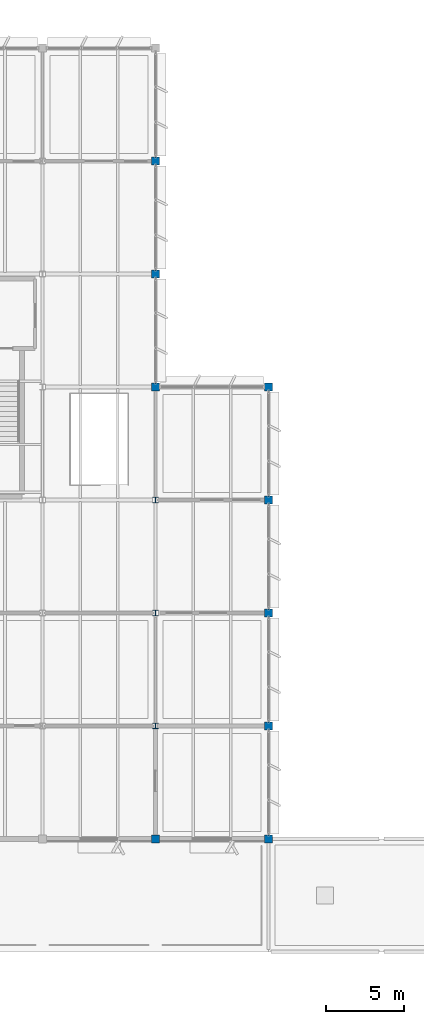
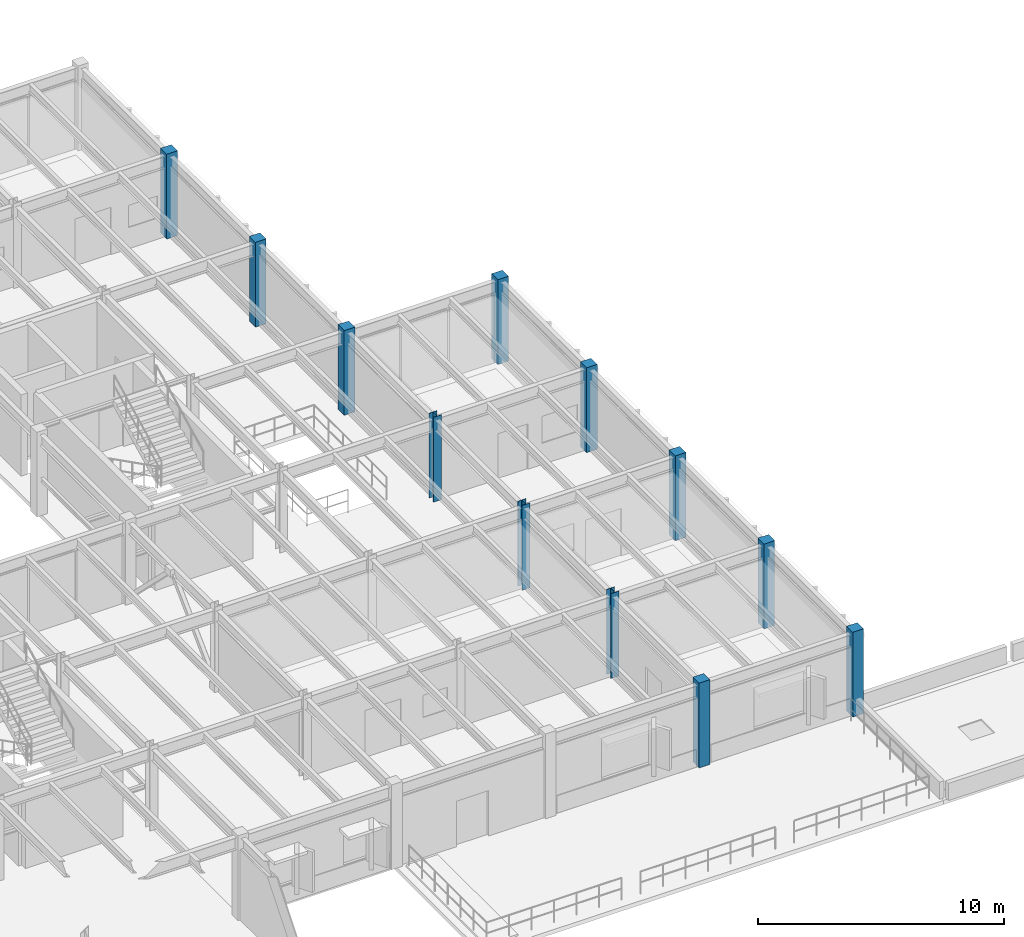
# One storey, part 14 of 85: 12 columns.
"""IFC4 building model written with IfcOpenShell, lengths in metres."""

from ifc_helpers import new_model, si_unit, direction, frame, origin, origin_2d, place, context, subcontext, project, spatial, rectangle, i_section, extrude, material, material_profile, profile_set, type_object, element, save


model = new_model("IFC4")

# Units and contexts
model_context = context("Model", 3, precision=1e-05, world=origin(), true_north=direction((0.0, 1.0)))
body_context = subcontext(model_context, "Body", "Model", "MODEL_VIEW")
ifc_project = project(units=[si_unit("LENGTHUNIT", "METRE"), si_unit("AREAUNIT", "SQUARE_METRE"), si_unit("VOLUMEUNIT", "CUBIC_METRE"), si_unit("PLANEANGLEUNIT", "RADIAN"), si_unit("MASSUNIT", "GRAM", prefix="KILO")], contexts=[model_context])

# Site, building, storey
site_placement = place(None, origin())
site = spatial("IfcSite", under=ifc_project, at=site_placement, CompositionType="ELEMENT")
building_placement = place(site_placement, origin())
building = spatial("IfcBuilding", under=site, at=building_placement, Name="Sillqori Civic Hall", CompositionType="ELEMENT")
storey_placement = place(building_placement, frame((0.0, 0.0, 9.89990234375)))
storey = spatial("IfcBuildingStorey", under=building, at=storey_placement, Name="L03", CompositionType="ELEMENT", Elevation=9.89990234375)

# Columns
ifc_material_1 = material(Name="Concrete C35/45 (H35)", Category="concrete")
ifc_material_profile_1 = material_profile(ifc_material_1, rectangle(XDim=0.5, YDim=0.5, at=origin_2d()), Name="RC 500x500")
ifc_profile_set_1 = profile_set([ifc_material_profile_1], Name="Concrete C35/45 (H35)")
column_type_1 = type_object("IfcColumnType", Name="COL-RC500", PredefinedType="COLUMN", material=ifc_profile_set_1)
for number, where, z_axis, x_axis, name in (
    (1, (136.800048828125, 28.800048828125, 0.0), (0.0, 0.0, 1.0), (1.0, 0.0, 0.0), "L03 column 19-4"),
    (2, (136.800048828125, 57.60009765625, 0.0), (0.0, 0.0, 1.0), (1.0, 0.0, 0.0), "L03 column 19-8"),
    (3, (136.800048828125, 64.800048828125, 0.0), (0.0, 0.0, 1.0), (1.0, 0.0, 0.0), "L03 column 19-9"),
    (4, (136.800048828125, 72.0, 0.0), (0.0, 0.0, 1.0), (1.0, 0.0, 0.0), "L03 column 19-10"),
    (5, (144.0, 28.800048828125, 0.0), (0.0, 0.0, 1.0), (1.0, 0.0, 0.0), "L03 column 20-4"),
    (6, (144.0, 36.0, 0.0), (0.0, 0.0, 1.0), (1.0, 0.0, 0.0), "L03 column 20-5"),
    (7, (144.0, 43.199951171875, 0.0), (0.0, 0.0, 1.0), (1.0, 0.0, 0.0), "L03 column 20-6"),
    (8, (144.0, 50.39990234375, 0.0), (0.0, 0.0, 1.0), (1.0, 0.0, 0.0), "L03 column 20-7"),
    (9, (144.0, 57.60009765625, 0.0), (0.0, 0.0, 1.0), (1.0, 0.0, 0.0), "L03 column 20-8"),
):
    element("IfcColumn", number, at=place(storey_placement, frame(where, z_axis=z_axis, x_axis=x_axis)), inside=storey, type_object=column_type_1, Name=name, PredefinedType="COLUMN", context=body_context, shape_type="SweptSolid", body=[
        extrude(rectangle(XDim=0.5, YDim=0.5, at=origin_2d()), origin(), (0.0, 0.0, 1.0), 4.2001953125),
    ])
ifc_material_2 = material(Name="Steel ASTM A992", Category="steel")
ifc_material_profile_2 = material_profile(ifc_material_2, i_section(OverallWidth=0.37109375, OverallDepth=0.361083984375, WebThickness=0.012451171875, FlangeThickness=0.019775390625, FilletRadius=0.014892578125, at=origin_2d()), Name="W14X99")
ifc_profile_set_2 = profile_set([ifc_material_profile_2], Name="Steel ASTM A992")
column_type_2 = type_object("IfcColumnType", Name="COL-W14X99", PredefinedType="COLUMN", material=ifc_profile_set_2)
for number, where, z_axis, x_axis, name in (
    (10, (136.800048828125, 36.0, 0.0), (0.0, 0.0, 1.0), (1.0, 0.0, 0.0), "L03 column 19-5"),
    (11, (136.800048828125, 43.199951171875, 0.0), (0.0, 0.0, 1.0), (1.0, 0.0, 0.0), "L03 column 19-6"),
    (12, (136.800048828125, 50.39990234375, 0.0), (0.0, 0.0, 1.0), (1.0, 0.0, 0.0), "L03 column 19-7"),
):
    element("IfcColumn", number, at=place(storey_placement, frame(where, z_axis=z_axis, x_axis=x_axis)), inside=storey, type_object=column_type_2, Name=name, PredefinedType="COLUMN", context=body_context, shape_type="SweptSolid", body=[
        extrude(i_section(OverallWidth=0.37109375, OverallDepth=0.361083984375, WebThickness=0.012451171875, FlangeThickness=0.019775390625, FilletRadius=0.014892578125, at=origin_2d()), origin(), (0.0, 0.0, 1.0), 4.2001953125),
    ])

save(model, "model.ifc")
